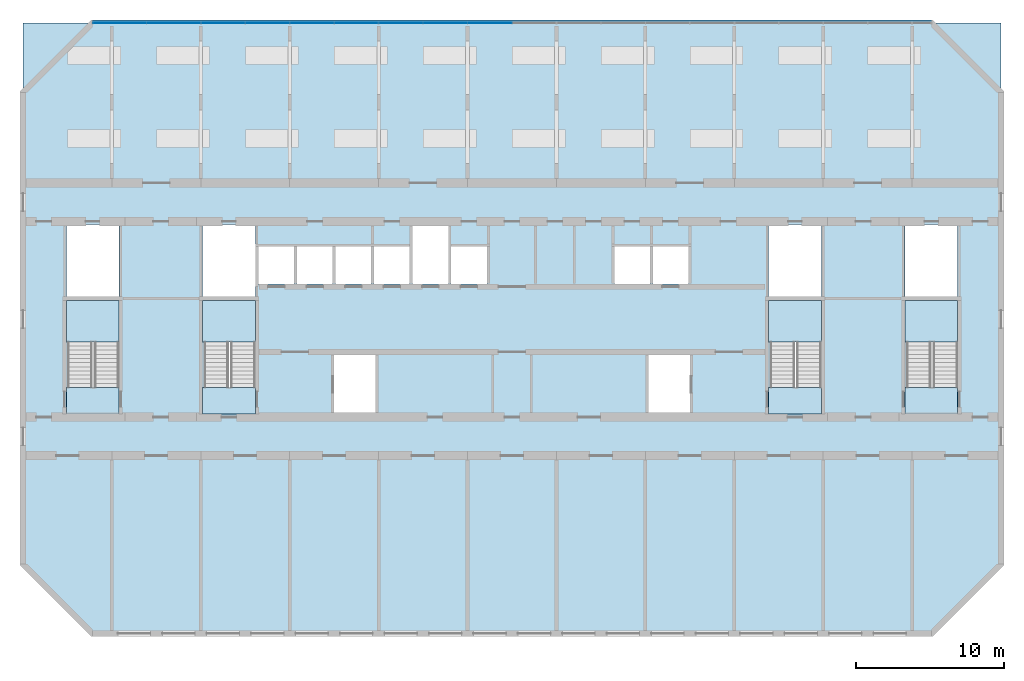
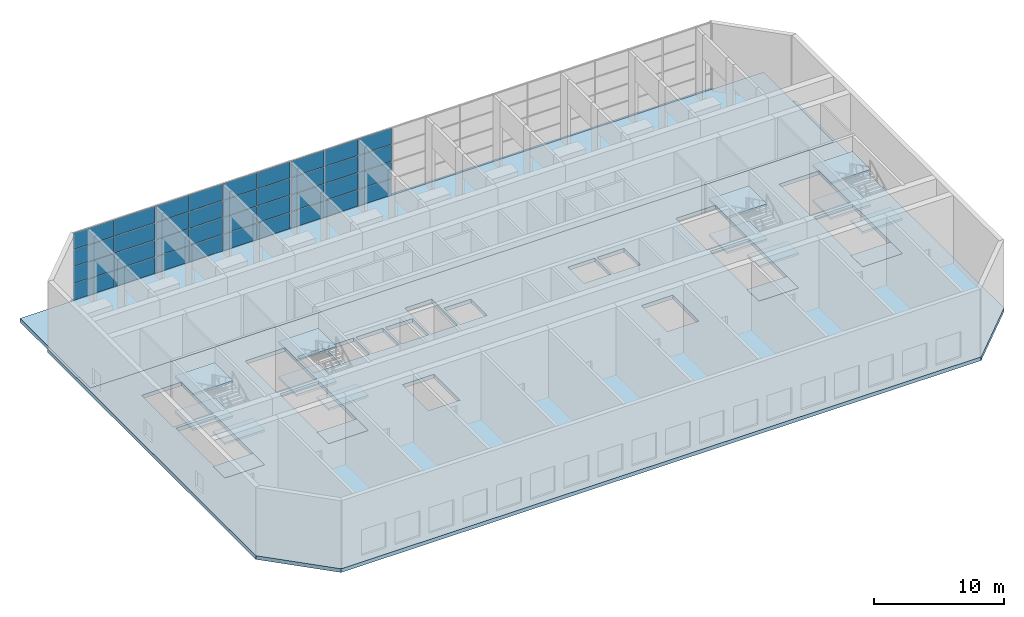
# One storey, part 4 of 13: 36 plates, 19 slabs, 7 elements without a shape of their own.
"""IFC4 building model written with IfcOpenShell, lengths in metres."""

import ifcopenshell
import ifcopenshell.guid

model = None  # the IFC model being written
_history = None  # IfcOwnerHistory: only IFC2X3 demands one
_inside = {}  # id of a spatial element -> (the spatial element, [elements in it])
_under = {}  # id of a project, library or spatial element -> (it, [spatial elements below it])
_declared = {}  # id of a project -> (the project, [libraries it declares])
_typed = {}  # id of a type object -> (the type object, [elements of that type])
_made_of = {}  # id of a material, layer set ... -> (it, [elements and type objects made of it])


def new_model(schema):
    """Start an empty IFC model of exactly this schema.

    Asked for "IFC4X3", IfcOpenShell would pick the latest addendum, in which some entities
    have other attributes; the version numbers below select the first issue.
    IFC2X3 requires an IfcOwnerHistory on every rooted entity: one is made here for all.
    """
    global model, _history
    if schema == "IFC4X3":
        model = ifcopenshell.file(schema_version=(4, 3, 0, 0))
    else:
        model = ifcopenshell.file(schema=schema)
    _inside.clear()
    _under.clear()
    _declared.clear()
    _typed.clear()
    _made_of.clear()
    _history = None
    if model.schema == "IFC2X3":
        org = make("IfcOrganization", Name="unknown")
        user = make(
            "IfcPersonAndOrganization",
            ThePerson=make("IfcPerson", FamilyName="unknown"),
            TheOrganization=org,
        )
        app = make(
            "IfcApplication",
            ApplicationDeveloper=org,
            Version="unknown",
            ApplicationFullName="unknown",
            ApplicationIdentifier="unknown",
        )
        _history = make(
            "IfcOwnerHistory",
            OwningUser=user,
            OwningApplication=app,
            ChangeAction="ADDED",
            CreationDate=0,
        )
    return model


def make(cls, **values):
    """One entity of the class cls with the attributes given. An attribute that is None is left unset."""
    return model.create_entity(
        cls, **{name: value for name, value in values.items() if value is not None}
    )


def rooted(cls, **values):
    """An entity with a GlobalId (a new one), such as an element, a storey or a relation."""
    return make(cls, GlobalId=ifcopenshell.guid.new(), OwnerHistory=_history, **values)


def si_unit(unit_type, name, prefix=None):
    """IfcSIUnit, for example si_unit("LENGTHUNIT", "METRE", prefix="MILLI")."""
    return make("IfcSIUnit", UnitType=unit_type, Prefix=prefix, Name=name)


def assignment(units):
    """IfcUnitAssignment: the units of a project."""
    return None if units is None else make("IfcUnitAssignment", Units=units)


def point(xyz):
    """IfcCartesianPoint."""
    return None if xyz is None else make("IfcCartesianPoint", Coordinates=xyz)


def direction(xyz):
    """IfcDirection."""
    return None if xyz is None else make("IfcDirection", DirectionRatios=xyz)


def frame(location, z_axis=None, x_axis=None):
    """IfcAxis2Placement3D, a coordinate frame: its origin and axes. An axis left out is left unset."""
    return make(
        "IfcAxis2Placement3D",
        Location=point(location),
        Axis=direction(z_axis),
        RefDirection=direction(x_axis),
    )


def frame_2d(location, x_axis=None):
    """IfcAxis2Placement2D, a coordinate frame in the plane: its origin and x axis."""
    return make(
        "IfcAxis2Placement2D", Location=point(location), RefDirection=direction(x_axis)
    )


def origin():
    """The frame at (0, 0, 0) with its axes left unset."""
    return frame((0.0, 0.0, 0.0))


def origin_2d():
    """The frame at (0, 0) in the plane with its x axis left unset."""
    return frame_2d((0.0, 0.0))


def place(relative_to, where):
    """IfcLocalPlacement: puts the frame where relative to a parent placement (None: the world)."""
    return make(
        "IfcLocalPlacement", PlacementRelTo=relative_to, RelativePlacement=where
    )


def context(
    kind, dimensions, precision=None, world=None, true_north=None, identifier=None
):
    """IfcGeometricRepresentationContext, for example the 3D "Model" context."""
    return make(
        "IfcGeometricRepresentationContext",
        ContextIdentifier=identifier,
        ContextType=kind,
        CoordinateSpaceDimension=dimensions,
        Precision=precision,
        WorldCoordinateSystem=world,
        TrueNorth=true_north,
    )


def subcontext(parent, identifier, kind, view, scale=None):
    """IfcGeometricRepresentationSubContext, for example "Body" below "Model"."""
    return make(
        "IfcGeometricRepresentationSubContext",
        ContextIdentifier=identifier,
        ContextType=kind,
        ParentContext=parent,
        TargetScale=scale,
        TargetView=view,
    )


def project(units=None, contexts=None):
    """IfcProject with its units and contexts."""
    return rooted(
        "IfcProject",
        Name="project",
        RepresentationContexts=contexts,
        UnitsInContext=assignment(units),
    )


def spatial(cls, under=None, at=None, **own):
    """A site, building, storey or space (cls), placed at a placement, below another one or the project."""
    s = rooted(cls, ObjectPlacement=at, **own)
    if under is not None:
        _under.setdefault(under.id(), (under, []))[1].append(s)
    return s


def polyline(points):
    """IfcPolyline through the points."""
    return make("IfcPolyline", Points=[point(p) for p in points])


def profile(cls, at=None, kind="AREA", **sizes):
    """A parametric profile (cls). Its sizes go by their IFC names, for example OverallWidth=200.0."""
    return make(cls, ProfileType=kind, Position=at, **sizes)


def rectangle(**sizes):
    """IfcRectangleProfileDef."""
    return profile("IfcRectangleProfileDef", **sizes)


def outline(outer, holes=None, kind="AREA"):
    """IfcArbitraryClosedProfileDef: a profile drawn as a closed curve; with holes, ...WithVoids."""
    if holes is None:
        return make("IfcArbitraryClosedProfileDef", ProfileType=kind, OuterCurve=outer)
    return make(
        "IfcArbitraryProfileDefWithVoids",
        ProfileType=kind,
        OuterCurve=outer,
        InnerCurves=holes,
    )


def extrude(swept, where, along, depth):
    """IfcExtrudedAreaSolid: the profile swept, set in the frame where, extruded along a direction by depth."""
    return make(
        "IfcExtrudedAreaSolid",
        SweptArea=swept,
        Position=where,
        ExtrudedDirection=direction(along),
        Depth=depth,
    )


def shape(context_of_items, identifier, shape_type, items):
    """IfcShapeRepresentation: the items that make up one representation, for example the "Body"."""
    return make(
        "IfcShapeRepresentation",
        ContextOfItems=context_of_items,
        RepresentationIdentifier=identifier,
        RepresentationType=shape_type,
        Items=items,
    )


def source(mapping_origin, context_of_items, identifier, shape_type, items):
    """IfcRepresentationMap: a shape defined once, which mapped items show again and again."""
    return make(
        "IfcRepresentationMap",
        MappingOrigin=mapping_origin,
        MappedRepresentation=shape(context_of_items, identifier, shape_type, items),
    )


def transform(
    local_origin,
    x_axis=None,
    y_axis=None,
    z_axis=None,
    scale=None,
    scale2=None,
    scale3=None,
    uniform=True,
):
    """IfcCartesianTransformationOperator3D, or its non-uniform kind. x_axis, y_axis, z_axis: its Axis1, 2, 3."""
    if uniform:
        return make(
            "IfcCartesianTransformationOperator3D",
            Axis1=direction(x_axis),
            Axis2=direction(y_axis),
            LocalOrigin=point(local_origin),
            Scale=scale,
            Axis3=direction(z_axis),
        )
    return make(
        "IfcCartesianTransformationOperator3DnonUniform",
        Axis1=direction(x_axis),
        Axis2=direction(y_axis),
        LocalOrigin=point(local_origin),
        Scale=scale,
        Axis3=direction(z_axis),
        Scale2=scale2,
        Scale3=scale3,
    )


def mapped(mapping_source, mapping_target):
    """IfcMappedItem: shows the shape of a source again, moved by a transform."""
    return make(
        "IfcMappedItem", MappingSource=mapping_source, MappingTarget=mapping_target
    )


def material(Name=None, Category=None):
    """IfcMaterial."""
    return make("IfcMaterial", Name=Name, Category=Category)


def layer(
    of_material, thickness, ventilated=None, Name=None, Category=None, Priority=None
):
    """IfcMaterialLayer: one layer of a wall or slab, of a material (None: an air gap)."""
    return make(
        "IfcMaterialLayer",
        Material=of_material,
        LayerThickness=thickness,
        IsVentilated=ventilated,
        Name=Name,
        Category=Category,
        Priority=Priority,
    )


def layer_set(layers, Name=None):
    """IfcMaterialLayerSet."""
    return make("IfcMaterialLayerSet", MaterialLayers=layers, LayerSetName=Name)


def made_of(thing, what):
    """Note that an element or type object is made of a material, layer set ...; save() writes the relation."""
    if what is not None:
        _made_of.setdefault(what.id(), (what, []))[1].append(thing)
    return thing


def type_object(cls, material=None, **own):
    """A type object (cls), such as IfcWallType, which elements share."""
    return made_of(rooted(cls, **own), material)


def element(
    cls,
    number,
    at=None,
    inside=None,
    cuts=None,
    type_object=None,
    material=None,
    context=None,
    identifier="Body",
    shape_type=None,
    held_by="IfcProductDefinitionShape",
    body=None,
    shapes=None,
    **own,
):
    """One element of the class cls, such as IfcWall. Its Tag is "e" and its number.

    at: its placement. inside: the storey or other place that contains it. cuts: it is an
    opening in that element (IfcRelVoidsElement). A single representation is given by context,
    identifier, shape_type and body (its items); several are given by shapes. held_by: the class
    of the entity that holds the representations. save() writes the other relations.
    """
    e = rooted(cls, Tag="e%d" % number, ObjectPlacement=at, **own)
    if body is not None:
        shapes = [shape(context, identifier, shape_type, body)]
    if shapes is not None:
        e.Representation = make(held_by, Representations=shapes)
    if inside is not None:
        _inside.setdefault(inside.id(), (inside, []))[1].append(e)
    if cuts is not None:
        rooted(
            "IfcRelVoidsElement", RelatingBuildingElement=cuts, RelatedOpeningElement=e
        )
    if type_object is not None:
        _typed.setdefault(type_object.id(), (type_object, []))[1].append(e)
    return made_of(e, material)


def aggregate(whole, parts):
    """IfcRelAggregates: a whole, such as a stair, and the parts it consists of."""
    return rooted("IfcRelAggregates", RelatingObject=whole, RelatedObjects=parts)


def save(model, path):
    """Write the relations noted so far, then the file.

    IfcRelAggregates (storeys below a building ...), IfcRelContainedInSpatialStructure (elements
    in a storey), IfcRelDefinesByType, IfcRelAssociatesMaterial and IfcRelDeclares: one each for
    every whole, place, type object, material and project.
    """
    for whole, parts in _under.values():
        aggregate(whole, parts)
    for where, things in _inside.values():
        rooted(
            "IfcRelContainedInSpatialStructure",
            RelatedElements=things,
            RelatingStructure=where,
        )
    for kind, things in _typed.values():
        rooted("IfcRelDefinesByType", RelatedObjects=things, RelatingType=kind)
    for what, things in _made_of.values():
        rooted("IfcRelAssociatesMaterial", RelatedObjects=things, RelatingMaterial=what)
    for by, libraries in _declared.values():
        rooted("IfcRelDeclares", RelatingContext=by, RelatedDefinitions=libraries)
    model.write(path)


model = new_model("IFC4")

# Units and contexts
model_context = context("Model", 3, precision=1e-05, world=origin(), true_north=direction((0.0, 1.0)))
body_context = subcontext(model_context, "Body", "Model", "MODEL_VIEW")
ifc_project = project(units=[si_unit("LENGTHUNIT", "METRE"), si_unit("AREAUNIT", "SQUARE_METRE"), si_unit("VOLUMEUNIT", "CUBIC_METRE"), si_unit("PLANEANGLEUNIT", "RADIAN"), si_unit("MASSUNIT", "GRAM", prefix="KILO")], contexts=[model_context])

# Site, building, storey
site_placement = place(None, origin())
site = spatial("IfcSite", under=ifc_project, at=site_placement, CompositionType="ELEMENT")
building_placement = place(site_placement, origin())
building = spatial("IfcBuilding", under=site, at=building_placement, Name="Poui Terraces", CompositionType="ELEMENT")
storey_placement = place(building_placement, frame((0.0, 0.0, 214.800048828125)))
storey = spatial("IfcBuildingStorey", under=building, at=storey_placement, Name="L60", CompositionType="ELEMENT", Elevation=214.800048828125)

# Curtain wall, plates
ifc_material_1 = material(Name="Clear glass", Category="glass")
ifc_layer_1 = layer(ifc_material_1, 0.159912109375)
ifc_layer_set_1 = layer_set([ifc_layer_1], Name="Clear glass")
curtain_wall_type = type_object("IfcCurtainWallType", Name="CURTAIN WALL CW-D SKY GARDEN GLAZING", PredefinedType="NOTDEFINED", material=ifc_layer_set_1)
curtain_wall_1_placement = place(storey_placement, origin())
curtain_wall_1 = element("IfcCurtainWall", 1, at=curtain_wall_1_placement, inside=storey, type_object=curtain_wall_type, Name="CW-D SKY GARDEN GLAZING", PredefinedType="NOTDEFINED")
ifc_layer_2 = layer(ifc_material_1, 0.052001953125)
ifc_layer_set_2 = layer_set([ifc_layer_2], Name="Clear glass")
plate_type = type_object("IfcPlateType", Name="CW-D GLASS PANEL 52", PredefinedType="CURTAIN_PANEL", material=ifc_layer_set_2)
plate_1_placement = place(storey_placement, frame((28.158203125, 41.199951171875, 0.050048828125), z_axis=(0.0, 0.0, 1.0), x_axis=(-1.0, 0.0, 0.0)))
plate_1 = element("IfcPlate", 2, at=plate_1_placement, type_object=plate_type, Name="CW-D panel 1.1", PredefinedType="CURTAIN_PANEL", context=body_context, shape_type="SweptSolid", body=[
    extrude(rectangle(XDim=3.58349609375, YDim=0.052001953125, at=origin_2d()), origin(), (0.0, 0.0, 1.0), 1.52001953125),
])
plate_2_placement = place(storey_placement, frame((28.158203125, 41.199951171875, 1.619873046875), z_axis=(0.0, 0.0, 1.0), x_axis=(-1.0, 0.0, 0.0)))
plate_2 = element("IfcPlate", 3, at=plate_2_placement, type_object=plate_type, Name="CW-D panel 1.2", PredefinedType="CURTAIN_PANEL", context=body_context, shape_type="SweptSolid", body=[
    extrude(rectangle(XDim=3.58349609375, YDim=0.052001953125, at=origin_2d()), origin(), (0.0, 0.0, 1.0), 1.544921875),
])
plate_3_placement = place(storey_placement, frame((28.158203125, 41.199951171875, 3.215087890625), z_axis=(0.0, 0.0, 1.0), x_axis=(-1.0, 0.0, 0.0)))
plate_3 = element("IfcPlate", 4, at=plate_3_placement, type_object=plate_type, Name="CW-D panel 1.3", PredefinedType="CURTAIN_PANEL", context=body_context, shape_type="SweptSolid", body=[
    extrude(rectangle(XDim=3.58349609375, YDim=0.052001953125, at=origin_2d()), origin(), (0.0, 0.0, 1.0), 1.544921875),
])
plate_4_placement = place(storey_placement, frame((28.158203125, 41.199951171875, 4.81005859375), z_axis=(0.0, 0.0, 1.0), x_axis=(-1.0, 0.0, 0.0)))
plate_4 = element("IfcPlate", 5, at=plate_4_placement, type_object=plate_type, Name="CW-D panel 1.4", PredefinedType="CURTAIN_PANEL", context=body_context, shape_type="SweptSolid", body=[
    extrude(rectangle(XDim=3.58349609375, YDim=0.052001953125, at=origin_2d()), origin(), (0.0, 0.0, 1.0), 1.52001953125),
])
plate_5_placement = place(storey_placement, frame((24.524658203125, 41.199951171875, 0.050048828125), z_axis=(0.0, 0.0, 1.0), x_axis=(-1.0, 0.0, 0.0)))
plate_5 = element("IfcPlate", 6, at=plate_5_placement, type_object=plate_type, Name="CW-D panel 2.1", PredefinedType="CURTAIN_PANEL", context=body_context, shape_type="SweptSolid", body=[
    extrude(rectangle(XDim=3.58349609375, YDim=0.052001953125, at=origin_2d()), origin(), (0.0, 0.0, 1.0), 1.52001953125),
])
plate_6_placement = place(storey_placement, frame((24.524658203125, 41.199951171875, 1.619873046875), z_axis=(0.0, 0.0, 1.0), x_axis=(-1.0, 0.0, 0.0)))
plate_6 = element("IfcPlate", 7, at=plate_6_placement, type_object=plate_type, Name="CW-D panel 2.2", PredefinedType="CURTAIN_PANEL", context=body_context, shape_type="SweptSolid", body=[
    extrude(rectangle(XDim=3.58349609375, YDim=0.052001953125, at=origin_2d()), origin(), (0.0, 0.0, 1.0), 1.544921875),
])
plate_7_placement = place(storey_placement, frame((24.524658203125, 41.199951171875, 3.215087890625), z_axis=(0.0, 0.0, 1.0), x_axis=(-1.0, 0.0, 0.0)))
plate_7 = element("IfcPlate", 8, at=plate_7_placement, type_object=plate_type, Name="CW-D panel 2.3", PredefinedType="CURTAIN_PANEL", context=body_context, shape_type="SweptSolid", body=[
    extrude(rectangle(XDim=3.58349609375, YDim=0.052001953125, at=origin_2d()), origin(), (0.0, 0.0, 1.0), 1.544921875),
])
plate_8_placement = place(storey_placement, frame((24.524658203125, 41.199951171875, 4.81005859375), z_axis=(0.0, 0.0, 1.0), x_axis=(-1.0, 0.0, 0.0)))
plate_8 = element("IfcPlate", 9, at=plate_8_placement, type_object=plate_type, Name="CW-D panel 2.4", PredefinedType="CURTAIN_PANEL", context=body_context, shape_type="SweptSolid", body=[
    extrude(rectangle(XDim=3.58349609375, YDim=0.052001953125, at=origin_2d()), origin(), (0.0, 0.0, 1.0), 1.52001953125),
])
aggregate(curtain_wall_1, [plate_1, plate_2, plate_3, plate_4, plate_5, plate_6, plate_7, plate_8])

curtain_wall_2_placement = place(storey_placement, origin())
curtain_wall_2 = element("IfcCurtainWall", 10, at=curtain_wall_2_placement, inside=storey, type_object=curtain_wall_type, Name="CW-D SKY GARDEN GLAZING", PredefinedType="NOTDEFINED")
plate_9_placement = place(storey_placement, frame((40.487548828125, 41.199951171875, 0.050048828125), z_axis=(0.0, 0.0, 1.0), x_axis=(-1.0, 0.0, 0.0)))
plate_9 = element("IfcPlate", 11, at=plate_9_placement, type_object=plate_type, Name="CW-D panel 1.1", PredefinedType="CURTAIN_PANEL", context=body_context, shape_type="SweptSolid", body=[
    extrude(rectangle(XDim=2.925048828125, YDim=0.052001953125, at=origin_2d()), origin(), (0.0, 0.0, 1.0), 1.52001953125),
])
plate_10_placement = place(storey_placement, frame((40.487548828125, 41.199951171875, 1.619873046875), z_axis=(0.0, 0.0, 1.0), x_axis=(-1.0, 0.0, 0.0)))
plate_10 = element("IfcPlate", 12, at=plate_10_placement, type_object=plate_type, Name="CW-D panel 1.2", PredefinedType="CURTAIN_PANEL", context=body_context, shape_type="SweptSolid", body=[
    extrude(rectangle(XDim=2.925048828125, YDim=0.052001953125, at=origin_2d()), origin(), (0.0, 0.0, 1.0), 1.544921875),
])
plate_11_placement = place(storey_placement, frame((40.487548828125, 41.199951171875, 3.215087890625), z_axis=(0.0, 0.0, 1.0), x_axis=(-1.0, 0.0, 0.0)))
plate_11 = element("IfcPlate", 13, at=plate_11_placement, type_object=plate_type, Name="CW-D panel 1.3", PredefinedType="CURTAIN_PANEL", context=body_context, shape_type="SweptSolid", body=[
    extrude(rectangle(XDim=2.925048828125, YDim=0.052001953125, at=origin_2d()), origin(), (0.0, 0.0, 1.0), 1.544921875),
])
plate_12_placement = place(storey_placement, frame((40.487548828125, 41.199951171875, 4.81005859375), z_axis=(0.0, 0.0, 1.0), x_axis=(-1.0, 0.0, 0.0)))
plate_12 = element("IfcPlate", 14, at=plate_12_placement, type_object=plate_type, Name="CW-D panel 1.4", PredefinedType="CURTAIN_PANEL", context=body_context, shape_type="SweptSolid", body=[
    extrude(rectangle(XDim=2.925048828125, YDim=0.052001953125, at=origin_2d()), origin(), (0.0, 0.0, 1.0), 1.52001953125),
])
plate_13_placement = place(storey_placement, frame((37.5, 41.199951171875, 0.050048828125), z_axis=(0.0, 0.0, 1.0), x_axis=(-1.0, 0.0, 0.0)))
plate_13 = element("IfcPlate", 15, at=plate_13_placement, type_object=plate_type, Name="CW-D panel 2.1", PredefinedType="CURTAIN_PANEL", context=body_context, shape_type="SweptSolid", body=[
    extrude(rectangle(XDim=2.949951171875, YDim=0.052001953125, at=origin_2d()), origin(), (0.0, 0.0, 1.0), 1.52001953125),
])
plate_14_placement = place(storey_placement, frame((37.5, 41.199951171875, 1.619873046875), z_axis=(0.0, 0.0, 1.0), x_axis=(-1.0, 0.0, 0.0)))
plate_14 = element("IfcPlate", 16, at=plate_14_placement, type_object=plate_type, Name="CW-D panel 2.2", PredefinedType="CURTAIN_PANEL", context=body_context, shape_type="SweptSolid", body=[
    extrude(rectangle(XDim=2.949951171875, YDim=0.052001953125, at=origin_2d()), origin(), (0.0, 0.0, 1.0), 1.544921875),
])
plate_15_placement = place(storey_placement, frame((37.5, 41.199951171875, 3.215087890625), z_axis=(0.0, 0.0, 1.0), x_axis=(-1.0, 0.0, 0.0)))
plate_15 = element("IfcPlate", 17, at=plate_15_placement, type_object=plate_type, Name="CW-D panel 2.3", PredefinedType="CURTAIN_PANEL", context=body_context, shape_type="SweptSolid", body=[
    extrude(rectangle(XDim=2.949951171875, YDim=0.052001953125, at=origin_2d()), origin(), (0.0, 0.0, 1.0), 1.544921875),
])
plate_16_placement = place(storey_placement, frame((37.5, 41.199951171875, 4.81005859375), z_axis=(0.0, 0.0, 1.0), x_axis=(-1.0, 0.0, 0.0)))
plate_16 = element("IfcPlate", 18, at=plate_16_placement, type_object=plate_type, Name="CW-D panel 2.4", PredefinedType="CURTAIN_PANEL", context=body_context, shape_type="SweptSolid", body=[
    extrude(rectangle(XDim=2.949951171875, YDim=0.052001953125, at=origin_2d()), origin(), (0.0, 0.0, 1.0), 1.52001953125),
])
plate_17_placement = place(storey_placement, frame((34.5, 41.199951171875, 0.050048828125), z_axis=(0.0, 0.0, 1.0), x_axis=(-1.0, 0.0, 0.0)))
plate_17 = element("IfcPlate", 19, at=plate_17_placement, type_object=plate_type, Name="CW-D panel 3.1", PredefinedType="CURTAIN_PANEL", context=body_context, shape_type="SweptSolid", body=[
    extrude(rectangle(XDim=2.949951171875, YDim=0.052001953125, at=origin_2d()), origin(), (0.0, 0.0, 1.0), 1.52001953125),
])
plate_18_placement = place(storey_placement, frame((34.5, 41.199951171875, 1.619873046875), z_axis=(0.0, 0.0, 1.0), x_axis=(-1.0, 0.0, 0.0)))
plate_18 = element("IfcPlate", 20, at=plate_18_placement, type_object=plate_type, Name="CW-D panel 3.2", PredefinedType="CURTAIN_PANEL", context=body_context, shape_type="SweptSolid", body=[
    extrude(rectangle(XDim=2.949951171875, YDim=0.052001953125, at=origin_2d()), origin(), (0.0, 0.0, 1.0), 1.544921875),
])
plate_19_placement = place(storey_placement, frame((34.5, 41.199951171875, 3.215087890625), z_axis=(0.0, 0.0, 1.0), x_axis=(-1.0, 0.0, 0.0)))
plate_19 = element("IfcPlate", 21, at=plate_19_placement, type_object=plate_type, Name="CW-D panel 3.3", PredefinedType="CURTAIN_PANEL", context=body_context, shape_type="SweptSolid", body=[
    extrude(rectangle(XDim=2.949951171875, YDim=0.052001953125, at=origin_2d()), origin(), (0.0, 0.0, 1.0), 1.544921875),
])
plate_20_placement = place(storey_placement, frame((34.5, 41.199951171875, 4.81005859375), z_axis=(0.0, 0.0, 1.0), x_axis=(-1.0, 0.0, 0.0)))
plate_20 = element("IfcPlate", 22, at=plate_20_placement, type_object=plate_type, Name="CW-D panel 3.4", PredefinedType="CURTAIN_PANEL", context=body_context, shape_type="SweptSolid", body=[
    extrude(rectangle(XDim=2.949951171875, YDim=0.052001953125, at=origin_2d()), origin(), (0.0, 0.0, 1.0), 1.52001953125),
])
plate_21_placement = place(storey_placement, frame((31.512451171875, 41.199951171875, 0.050048828125), z_axis=(0.0, 0.0, 1.0), x_axis=(-1.0, 0.0, 0.0)))
plate_21 = element("IfcPlate", 23, at=plate_21_placement, type_object=plate_type, Name="CW-D panel 4.1", PredefinedType="CURTAIN_PANEL", context=body_context, shape_type="SweptSolid", body=[
    extrude(rectangle(XDim=2.925048828125, YDim=0.052001953125, at=origin_2d()), origin(), (0.0, 0.0, 1.0), 1.52001953125),
])
plate_22_placement = place(storey_placement, frame((31.512451171875, 41.199951171875, 1.619873046875), z_axis=(0.0, 0.0, 1.0), x_axis=(-1.0, 0.0, 0.0)))
plate_22 = element("IfcPlate", 24, at=plate_22_placement, type_object=plate_type, Name="CW-D panel 4.2", PredefinedType="CURTAIN_PANEL", context=body_context, shape_type="SweptSolid", body=[
    extrude(rectangle(XDim=2.925048828125, YDim=0.052001953125, at=origin_2d()), origin(), (0.0, 0.0, 1.0), 1.544921875),
])
plate_23_placement = place(storey_placement, frame((31.512451171875, 41.199951171875, 3.215087890625), z_axis=(0.0, 0.0, 1.0), x_axis=(-1.0, 0.0, 0.0)))
plate_23 = element("IfcPlate", 25, at=plate_23_placement, type_object=plate_type, Name="CW-D panel 4.3", PredefinedType="CURTAIN_PANEL", context=body_context, shape_type="SweptSolid", body=[
    extrude(rectangle(XDim=2.925048828125, YDim=0.052001953125, at=origin_2d()), origin(), (0.0, 0.0, 1.0), 1.544921875),
])
plate_24_placement = place(storey_placement, frame((31.512451171875, 41.199951171875, 4.81005859375), z_axis=(0.0, 0.0, 1.0), x_axis=(-1.0, 0.0, 0.0)))
plate_24 = element("IfcPlate", 26, at=plate_24_placement, type_object=plate_type, Name="CW-D panel 4.4", PredefinedType="CURTAIN_PANEL", context=body_context, shape_type="SweptSolid", body=[
    extrude(rectangle(XDim=2.925048828125, YDim=0.052001953125, at=origin_2d()), origin(), (0.0, 0.0, 1.0), 1.52001953125),
])
aggregate(curtain_wall_2, [plate_9, plate_10, plate_11, plate_12, plate_13, plate_14, plate_15, plate_16, plate_17, plate_18, plate_19, plate_20, plate_21, plate_22, plate_23, plate_24])

curtain_wall_3_placement = place(storey_placement, origin())
curtain_wall_3 = element("IfcCurtainWall", 27, at=curtain_wall_3_placement, inside=storey, type_object=curtain_wall_type, Name="CW-D SKY GARDEN GLAZING", PredefinedType="NOTDEFINED")
plate_25_placement = place(storey_placement, frame((49.5, 41.199951171875, 0.050048828125), z_axis=(0.0, 0.0, 1.0), x_axis=(-1.0, 0.0, 0.0)))
plate_25 = element("IfcPlate", 28, at=plate_25_placement, type_object=plate_type, Name="CW-D panel 2.1", PredefinedType="CURTAIN_PANEL", context=body_context, shape_type="SweptSolid", body=[
    extrude(rectangle(XDim=2.949951171875, YDim=0.052001953125, at=origin_2d()), origin(), (0.0, 0.0, 1.0), 1.52001953125),
])
plate_26_placement = place(storey_placement, frame((49.5, 41.199951171875, 1.619873046875), z_axis=(0.0, 0.0, 1.0), x_axis=(-1.0, 0.0, 0.0)))
plate_26 = element("IfcPlate", 29, at=plate_26_placement, type_object=plate_type, Name="CW-D panel 2.2", PredefinedType="CURTAIN_PANEL", context=body_context, shape_type="SweptSolid", body=[
    extrude(rectangle(XDim=2.949951171875, YDim=0.052001953125, at=origin_2d()), origin(), (0.0, 0.0, 1.0), 1.544921875),
])
plate_27_placement = place(storey_placement, frame((49.5, 41.199951171875, 3.215087890625), z_axis=(0.0, 0.0, 1.0), x_axis=(-1.0, 0.0, 0.0)))
plate_27 = element("IfcPlate", 30, at=plate_27_placement, type_object=plate_type, Name="CW-D panel 2.3", PredefinedType="CURTAIN_PANEL", context=body_context, shape_type="SweptSolid", body=[
    extrude(rectangle(XDim=2.949951171875, YDim=0.052001953125, at=origin_2d()), origin(), (0.0, 0.0, 1.0), 1.544921875),
])
plate_28_placement = place(storey_placement, frame((49.5, 41.199951171875, 4.81005859375), z_axis=(0.0, 0.0, 1.0), x_axis=(-1.0, 0.0, 0.0)))
plate_28 = element("IfcPlate", 31, at=plate_28_placement, type_object=plate_type, Name="CW-D panel 2.4", PredefinedType="CURTAIN_PANEL", context=body_context, shape_type="SweptSolid", body=[
    extrude(rectangle(XDim=2.949951171875, YDim=0.052001953125, at=origin_2d()), origin(), (0.0, 0.0, 1.0), 1.52001953125),
])
plate_29_placement = place(storey_placement, frame((46.5, 41.199951171875, 0.050048828125), z_axis=(0.0, 0.0, 1.0), x_axis=(-1.0, 0.0, 0.0)))
plate_29 = element("IfcPlate", 32, at=plate_29_placement, type_object=plate_type, Name="CW-D panel 3.1", PredefinedType="CURTAIN_PANEL", context=body_context, shape_type="SweptSolid", body=[
    extrude(rectangle(XDim=2.949951171875, YDim=0.052001953125, at=origin_2d()), origin(), (0.0, 0.0, 1.0), 1.52001953125),
])
plate_30_placement = place(storey_placement, frame((46.5, 41.199951171875, 1.619873046875), z_axis=(0.0, 0.0, 1.0), x_axis=(-1.0, 0.0, 0.0)))
plate_30 = element("IfcPlate", 33, at=plate_30_placement, type_object=plate_type, Name="CW-D panel 3.2", PredefinedType="CURTAIN_PANEL", context=body_context, shape_type="SweptSolid", body=[
    extrude(rectangle(XDim=2.949951171875, YDim=0.052001953125, at=origin_2d()), origin(), (0.0, 0.0, 1.0), 1.544921875),
])
plate_31_placement = place(storey_placement, frame((46.5, 41.199951171875, 3.215087890625), z_axis=(0.0, 0.0, 1.0), x_axis=(-1.0, 0.0, 0.0)))
plate_31 = element("IfcPlate", 34, at=plate_31_placement, type_object=plate_type, Name="CW-D panel 3.3", PredefinedType="CURTAIN_PANEL", context=body_context, shape_type="SweptSolid", body=[
    extrude(rectangle(XDim=2.949951171875, YDim=0.052001953125, at=origin_2d()), origin(), (0.0, 0.0, 1.0), 1.544921875),
])
plate_32_placement = place(storey_placement, frame((46.5, 41.199951171875, 4.81005859375), z_axis=(0.0, 0.0, 1.0), x_axis=(-1.0, 0.0, 0.0)))
plate_32 = element("IfcPlate", 35, at=plate_32_placement, type_object=plate_type, Name="CW-D panel 3.4", PredefinedType="CURTAIN_PANEL", context=body_context, shape_type="SweptSolid", body=[
    extrude(rectangle(XDim=2.949951171875, YDim=0.052001953125, at=origin_2d()), origin(), (0.0, 0.0, 1.0), 1.52001953125),
])
plate_33_placement = place(storey_placement, frame((43.512451171875, 41.199951171875, 0.050048828125), z_axis=(0.0, 0.0, 1.0), x_axis=(-1.0, 0.0, 0.0)))
plate_33 = element("IfcPlate", 36, at=plate_33_placement, type_object=plate_type, Name="CW-D panel 4.1", PredefinedType="CURTAIN_PANEL", context=body_context, shape_type="SweptSolid", body=[
    extrude(rectangle(XDim=2.925048828125, YDim=0.052001953125, at=origin_2d()), origin(), (0.0, 0.0, 1.0), 1.52001953125),
])
plate_34_placement = place(storey_placement, frame((43.512451171875, 41.199951171875, 1.619873046875), z_axis=(0.0, 0.0, 1.0), x_axis=(-1.0, 0.0, 0.0)))
plate_34 = element("IfcPlate", 37, at=plate_34_placement, type_object=plate_type, Name="CW-D panel 4.2", PredefinedType="CURTAIN_PANEL", context=body_context, shape_type="SweptSolid", body=[
    extrude(rectangle(XDim=2.925048828125, YDim=0.052001953125, at=origin_2d()), origin(), (0.0, 0.0, 1.0), 1.544921875),
])
plate_35_placement = place(storey_placement, frame((43.512451171875, 41.199951171875, 3.215087890625), z_axis=(0.0, 0.0, 1.0), x_axis=(-1.0, 0.0, 0.0)))
plate_35 = element("IfcPlate", 38, at=plate_35_placement, type_object=plate_type, Name="CW-D panel 4.3", PredefinedType="CURTAIN_PANEL", context=body_context, shape_type="SweptSolid", body=[
    extrude(rectangle(XDim=2.925048828125, YDim=0.052001953125, at=origin_2d()), origin(), (0.0, 0.0, 1.0), 1.544921875),
])
plate_36_placement = place(storey_placement, frame((43.512451171875, 41.199951171875, 4.81005859375), z_axis=(0.0, 0.0, 1.0), x_axis=(-1.0, 0.0, 0.0)))
plate_36 = element("IfcPlate", 39, at=plate_36_placement, type_object=plate_type, Name="CW-D panel 4.4", PredefinedType="CURTAIN_PANEL", context=body_context, shape_type="SweptSolid", body=[
    extrude(rectangle(XDim=2.925048828125, YDim=0.052001953125, at=origin_2d()), origin(), (0.0, 0.0, 1.0), 1.52001953125),
])
aggregate(curtain_wall_3, [plate_25, plate_26, plate_27, plate_28, plate_29, plate_30, plate_31, plate_32, plate_33, plate_34, plate_35, plate_36])

# Stair, slabs
ifc_material_2 = material(Name="Concrete 50 MPa", Category="concrete")
stair_type = type_object("IfcStairType", Name="EXIT STAIR 1650 50 MPA", PredefinedType="HALF_TURN_STAIR", material=ifc_material_2)
stair_1_placement = place(storey_placement, origin())
stair_1 = element("IfcStair", 40, at=stair_1_placement, inside=storey, type_object=stair_type, Name="L60 CORE STAIR EAST", PredefinedType="HALF_TURN_STAIR")
ifc_layer_3 = layer(ifc_material_2, 0.199951171875)
ifc_layer_set_3 = layer_set([ifc_layer_3], Name="Concrete 50 MPa")
slab_type_1 = type_object("IfcSlabType", Name="STAIR LANDING 200 50 MPA", PredefinedType="LANDING", material=ifc_layer_set_3)
slab_1_placement = place(storey_placement, frame((0.0, 0.0, 1.449951171875)))
slab_1 = element("IfcSlab", 41, at=slab_1_placement, type_object=slab_type_1, Name="ST-CE landing 1", PredefinedType="LANDING", context=body_context, shape_type="SweptSolid", body=[
    extrude(outline(polyline([(68.324951171875, 19.679931640625), (71.875, 19.679931640625), (71.875, 22.47509765625), (68.324951171875, 22.47509765625), (68.324951171875, 19.679931640625)])), origin(), (0.0, 0.0, 1.0), 0.199951171875),
])
slab_2_placement = place(storey_placement, frame((0.0, 0.0, 3.099853515625)))
slab_2 = element("IfcSlab", 42, at=slab_2_placement, type_object=slab_type_1, Name="ST-CE landing 2", PredefinedType="LANDING", context=body_context, shape_type="SweptSolid", body=[
    extrude(outline(polyline([(68.324951171875, 14.800048828125), (71.875, 14.800048828125), (71.875, 16.60009765625), (68.324951171875, 16.60009765625), (68.324951171875, 14.800048828125)])), origin(), (0.0, 0.0, 1.0), 0.2001953125),
])
slab_3_placement = place(storey_placement, frame((0.0, 0.0, 4.749755859375)))
slab_3 = element("IfcSlab", 43, at=slab_3_placement, type_object=slab_type_1, Name="ST-CE landing 3", PredefinedType="LANDING", context=body_context, shape_type="SweptSolid", body=[
    extrude(outline(polyline([(68.324951171875, 19.679931640625), (71.875, 19.679931640625), (71.875, 22.47509765625), (68.324951171875, 22.47509765625), (68.324951171875, 19.679931640625)])), origin(), (0.0, 0.0, 1.0), 0.2001953125),
])
slab_4_placement = place(storey_placement, frame((0.0, 0.0, -0.2001953125)))
slab_4 = element("IfcSlab", 44, at=slab_4_placement, type_object=slab_type_1, Name="ST-CE landing 4", PredefinedType="LANDING", context=body_context, shape_type="SweptSolid", body=[
    extrude(outline(polyline([(68.324951171875, 14.800048828125), (71.875, 14.800048828125), (71.875, 16.60009765625), (68.324951171875, 16.60009765625), (68.324951171875, 14.800048828125)])), origin(), (0.0, 0.0, 1.0), 0.2001953125),
])
aggregate(stair_1, [slab_1, slab_2, slab_3, slab_4])

stair_2_placement = place(storey_placement, origin())
stair_2 = element("IfcStair", 45, at=stair_2_placement, inside=storey, type_object=stair_type, Name="L60 CORE STAIR WEST", PredefinedType="HALF_TURN_STAIR")
slab_5_placement = place(storey_placement, frame((0.0, 0.0, 1.449951171875)))
slab_5 = element("IfcSlab", 46, at=slab_5_placement, type_object=slab_type_1, Name="ST-CW landing 1", PredefinedType="LANDING", context=body_context, shape_type="SweptSolid", body=[
    extrude(outline(polyline([(30.125, 19.679931640625), (33.675048828125, 19.679931640625), (33.675048828125, 22.47509765625), (30.125, 22.47509765625), (30.125, 19.679931640625)])), origin(), (0.0, 0.0, 1.0), 0.199951171875),
])
slab_6_placement = place(storey_placement, frame((0.0, 0.0, 3.099853515625)))
slab_6 = element("IfcSlab", 47, at=slab_6_placement, type_object=slab_type_1, Name="ST-CW landing 2", PredefinedType="LANDING", context=body_context, shape_type="SweptSolid", body=[
    extrude(outline(polyline([(30.125, 14.800048828125), (33.675048828125, 14.800048828125), (33.675048828125, 16.60009765625), (30.125, 16.60009765625), (30.125, 14.800048828125)])), origin(), (0.0, 0.0, 1.0), 0.2001953125),
])
slab_7_placement = place(storey_placement, frame((0.0, 0.0, 4.749755859375)))
slab_7 = element("IfcSlab", 48, at=slab_7_placement, type_object=slab_type_1, Name="ST-CW landing 3", PredefinedType="LANDING", context=body_context, shape_type="SweptSolid", body=[
    extrude(outline(polyline([(30.125, 19.679931640625), (33.675048828125, 19.679931640625), (33.675048828125, 22.47509765625), (30.125, 22.47509765625), (30.125, 19.679931640625)])), origin(), (0.0, 0.0, 1.0), 0.2001953125),
])
slab_8_placement = place(storey_placement, frame((0.0, 0.0, -0.2001953125)))
slab_8 = element("IfcSlab", 49, at=slab_8_placement, type_object=slab_type_1, Name="ST-CW landing 4", PredefinedType="LANDING", context=body_context, shape_type="SweptSolid", body=[
    extrude(outline(polyline([(30.125, 14.800048828125), (33.675048828125, 14.800048828125), (33.675048828125, 16.60009765625), (30.125, 16.60009765625), (30.125, 14.800048828125)])), origin(), (0.0, 0.0, 1.0), 0.2001953125),
])
aggregate(stair_2, [slab_5, slab_6, slab_7, slab_8])

stair_3_placement = place(storey_placement, origin())
stair_3 = element("IfcStair", 50, at=stair_3_placement, inside=storey, type_object=stair_type, Name="L60 TIP STAIR EAST", PredefinedType="HALF_TURN_STAIR")
slab_9_placement = place(storey_placement, frame((0.0, 0.0, 1.449951171875)))
slab_9 = element("IfcSlab", 51, at=slab_9_placement, type_object=slab_type_1, Name="ST-E landing 1", PredefinedType="LANDING", context=body_context, shape_type="SweptSolid", body=[
    extrude(outline(polyline([(77.52490234375, 19.679931640625), (81.074951171875, 19.679931640625), (81.074951171875, 22.47509765625), (77.52490234375, 22.47509765625), (77.52490234375, 19.679931640625)])), origin(), (0.0, 0.0, 1.0), 0.199951171875),
])
slab_10_placement = place(storey_placement, frame((0.0, 0.0, 3.099853515625)))
slab_10 = element("IfcSlab", 52, at=slab_10_placement, type_object=slab_type_1, Name="ST-E landing 2", PredefinedType="LANDING", context=body_context, shape_type="SweptSolid", body=[
    extrude(outline(polyline([(77.52490234375, 14.800048828125), (81.074951171875, 14.800048828125), (81.074951171875, 16.60009765625), (77.52490234375, 16.60009765625), (77.52490234375, 14.800048828125)])), origin(), (0.0, 0.0, 1.0), 0.2001953125),
])
slab_11_placement = place(storey_placement, frame((0.0, 0.0, 4.749755859375)))
slab_11 = element("IfcSlab", 53, at=slab_11_placement, type_object=slab_type_1, Name="ST-E landing 3", PredefinedType="LANDING", context=body_context, shape_type="SweptSolid", body=[
    extrude(outline(polyline([(77.52490234375, 19.679931640625), (81.074951171875, 19.679931640625), (81.074951171875, 22.47509765625), (77.52490234375, 22.47509765625), (77.52490234375, 19.679931640625)])), origin(), (0.0, 0.0, 1.0), 0.2001953125),
])
slab_12_placement = place(storey_placement, frame((0.0, 0.0, -0.2001953125)))
slab_12 = element("IfcSlab", 54, at=slab_12_placement, type_object=slab_type_1, Name="ST-E landing 4", PredefinedType="LANDING", context=body_context, shape_type="SweptSolid", body=[
    extrude(outline(polyline([(77.52490234375, 14.800048828125), (81.074951171875, 14.800048828125), (81.074951171875, 16.60009765625), (77.52490234375, 16.60009765625), (77.52490234375, 14.800048828125)])), origin(), (0.0, 0.0, 1.0), 0.2001953125),
])
aggregate(stair_3, [slab_9, slab_10, slab_11, slab_12])

stair_4_placement = place(storey_placement, origin())
stair_4 = element("IfcStair", 55, at=stair_4_placement, inside=storey, type_object=stair_type, Name="L60 TIP STAIR WEST", PredefinedType="HALF_TURN_STAIR")
slab_13_placement = place(storey_placement, frame((0.0, 0.0, 1.449951171875)))
slab_13 = element("IfcSlab", 56, at=slab_13_placement, type_object=slab_type_1, Name="ST-W landing 1", PredefinedType="LANDING", context=body_context, shape_type="SweptSolid", body=[
    extrude(outline(polyline([(20.925048828125, 19.679931640625), (24.47509765625, 19.679931640625), (24.47509765625, 22.47509765625), (20.925048828125, 22.47509765625), (20.925048828125, 19.679931640625)])), origin(), (0.0, 0.0, 1.0), 0.199951171875),
])
slab_14_placement = place(storey_placement, frame((0.0, 0.0, 3.099853515625)))
slab_14 = element("IfcSlab", 57, at=slab_14_placement, type_object=slab_type_1, Name="ST-W landing 2", PredefinedType="LANDING", context=body_context, shape_type="SweptSolid", body=[
    extrude(outline(polyline([(20.925048828125, 14.800048828125), (24.47509765625, 14.800048828125), (24.47509765625, 16.60009765625), (20.925048828125, 16.60009765625), (20.925048828125, 14.800048828125)])), origin(), (0.0, 0.0, 1.0), 0.2001953125),
])
slab_15_placement = place(storey_placement, frame((0.0, 0.0, 4.749755859375)))
slab_15 = element("IfcSlab", 58, at=slab_15_placement, type_object=slab_type_1, Name="ST-W landing 3", PredefinedType="LANDING", context=body_context, shape_type="SweptSolid", body=[
    extrude(outline(polyline([(20.925048828125, 19.679931640625), (24.47509765625, 19.679931640625), (24.47509765625, 22.47509765625), (20.925048828125, 22.47509765625), (20.925048828125, 19.679931640625)])), origin(), (0.0, 0.0, 1.0), 0.2001953125),
])
slab_16_placement = place(storey_placement, frame((0.0, 0.0, -0.2001953125)))
slab_16 = element("IfcSlab", 59, at=slab_16_placement, type_object=slab_type_1, Name="ST-W landing 4", PredefinedType="LANDING", context=body_context, shape_type="SweptSolid", body=[
    extrude(outline(polyline([(20.925048828125, 14.800048828125), (24.47509765625, 14.800048828125), (24.47509765625, 16.60009765625), (20.925048828125, 16.60009765625), (20.925048828125, 14.800048828125)])), origin(), (0.0, 0.0, 1.0), 0.2001953125),
])
aggregate(stair_4, [slab_13, slab_14, slab_15, slab_16])

# Slabs
ifc_material_3 = material(Name="Concrete 40 MPa", Category="concrete")
ifc_layer_4 = layer(ifc_material_3, 0.35009765625)
ifc_layer_set_4 = layer_set([ifc_layer_4], Name="Concrete 40 MPa")
slab_type_2 = type_object("IfcSlabType", Name="FLOOR SLAB 350", PredefinedType="FLOOR", material=ifc_layer_set_4)
shared_shape_1 = source(origin(), body_context, "Body", "SweptSolid", [
    extrude(outline(polyline([(0.0, 0.0), (0.0, 32.0), (-0.199951171875, 32.199951171875), (-0.199951171875, 25.7998046875), (-66.199951171875, 25.7998046875), (-66.199951171875, 32.199951171875), (-66.39990234375, 32.0), (-66.39990234375, 0.0), (-61.599853515625, -4.800048828125), (-4.800048828125, -4.800048828125), (0.0, 0.0)]), holes=[polyline([(-45.199951171875, 10.199951171875), (-45.199951171875, 14.199951171875), (-42.39990234375, 14.199951171875), (-42.39990234375, 10.199951171875), (-45.199951171875, 10.199951171875)]), polyline([(-63.175048828125, 17.849853515625), (-59.724853515625, 17.849853515625), (-59.724853515625, 12.0), (-59.724853515625, 10.199951171875), (-63.27490234375, 10.199951171875), (-63.27490234375, 12.0), (-63.175048828125, 12.0), (-63.175048828125, 17.849853515625)]), polyline([(-53.974853515625, 17.849853515625), (-50.52490234375, 17.849853515625), (-50.52490234375, 12.0), (-50.52490234375, 10.199951171875), (-54.074951171875, 10.199951171875), (-54.074951171875, 12.0), (-53.974853515625, 12.0), (-53.974853515625, 17.849853515625)]), polyline([(-50.300048828125, 19.0), (-50.300048828125, 21.5), (-47.89990234375, 21.5), (-47.89990234375, 19.0), (-50.300048828125, 19.0)]), polyline([(-47.699951171875, 19.0), (-47.699951171875, 21.5), (-45.300048828125, 21.5), (-45.300048828125, 19.0), (-47.699951171875, 19.0)]), polyline([(-45.099853515625, 19.0), (-45.099853515625, 21.5), (-42.699951171875, 21.5), (-42.699951171875, 19.0), (-45.099853515625, 19.0)]), polyline([(-42.5, 19.0), (-42.5, 21.5), (-40.099853515625, 21.5), (-40.099853515625, 19.0), (-42.5, 19.0)]), polyline([(-63.27490234375, 23.0), (-59.724853515625, 23.0), (-59.724853515625, 18.125), (-63.27490234375, 18.125), (-63.27490234375, 23.0)]), polyline([(-54.074951171875, 23.0), (-50.52490234375, 23.0), (-50.52490234375, 18.125), (-54.074951171875, 18.125), (-54.074951171875, 23.0)]), polyline([(-24.0, 10.199951171875), (-24.0, 14.199951171875), (-21.199951171875, 14.199951171875), (-21.199951171875, 10.199951171875), (-24.0, 10.199951171875)]), polyline([(-15.77490234375, 17.849853515625), (-12.324951171875, 17.849853515625), (-12.324951171875, 12.0), (-12.324951171875, 10.199951171875), (-15.875, 10.199951171875), (-15.875, 12.0), (-15.77490234375, 12.0), (-15.77490234375, 17.849853515625)]), polyline([(-6.574951171875, 17.849853515625), (-3.125, 17.849853515625), (-3.125, 12.0), (-3.125, 10.199951171875), (-6.675048828125, 10.199951171875), (-6.675048828125, 12.0), (-6.574951171875, 12.0), (-6.574951171875, 17.849853515625)]), polyline([(-37.300048828125, 19.0), (-37.300048828125, 21.5), (-34.89990234375, 21.5), (-34.89990234375, 19.0), (-37.300048828125, 19.0)]), polyline([(-26.300048828125, 19.0), (-26.300048828125, 21.5), (-23.89990234375, 21.5), (-23.89990234375, 19.0), (-26.300048828125, 19.0)]), polyline([(-23.699951171875, 19.0), (-23.699951171875, 21.5), (-21.300048828125, 21.5), (-21.300048828125, 19.0), (-23.699951171875, 19.0)]), polyline([(-15.875, 18.125), (-15.875, 23.0), (-12.324951171875, 23.0), (-12.324951171875, 18.125), (-15.875, 18.125)]), polyline([(-6.675048828125, 23.0), (-3.125, 23.0), (-3.125, 18.125), (-6.675048828125, 18.125), (-6.675048828125, 23.0)]), polyline([(-39.89990234375, 23.0), (-37.5, 23.0), (-37.5, 19.0), (-39.89990234375, 19.0), (-39.89990234375, 23.0)])]), origin(), (0.0, 0.0, 1.0), 0.35009765625),
])
slab_17_placement = place(storey_placement, frame((84.199951171875, 4.60009765625, -0.35009765625)))
element("IfcSlab", 60, at=slab_17_placement, inside=storey, type_object=slab_type_2, Name="FLOOR SLAB", PredefinedType="FLOOR", context=body_context, shape_type="MappedRepresentation", body=[
    mapped(shared_shape_1, transform((0.0, 0.0, 0.0))),
])
shared_shape_2 = source(origin(), body_context, "Body", "SweptSolid", [
    extrude(outline(polyline([(0.0, 0.0), (-56.7998046875, 0.0), (-57.0, -0.199951171875), (0.2001953125, -0.199951171875), (0.0, 0.0)])), origin(), (0.0, 0.0, 1.0), 0.35009765625),
])
slab_18_placement = place(storey_placement, frame((79.39990234375, 41.39990234375, -0.35009765625)))
element("IfcSlab", 61, at=slab_18_placement, inside=storey, type_object=slab_type_2, Name="FLOOR SLAB", PredefinedType="FLOOR", context=body_context, shape_type="MappedRepresentation", body=[
    mapped(shared_shape_2, transform((0.0, 0.0, 0.0))),
])
ifc_layer_5 = layer(ifc_material_3, 0.35009765625)
ifc_layer_set_5 = layer_set([ifc_layer_5], Name="Concrete 40 MPa")
slab_type_3 = type_object("IfcSlabType", Name="GARDEN DECK 350", PredefinedType="FLOOR", material=ifc_layer_set_5)
shared_shape_3 = source(origin(), body_context, "Body", "SweptSolid", [
    extrude(outline(polyline([(0.0, 0.0), (0.0, 10.800048828125), (-66.0, 10.800048828125), (-66.0, 0.0), (0.0, 0.0)])), origin(), (0.0, 0.0, 1.0), 0.35009765625),
])
slab_19_placement = place(storey_placement, frame((84.0, 30.39990234375, -0.35009765625)))
element("IfcSlab", 62, at=slab_19_placement, inside=storey, type_object=slab_type_3, Name="SKY GARDEN DECK", PredefinedType="FLOOR", context=body_context, shape_type="MappedRepresentation", body=[
    mapped(shared_shape_3, transform((0.0, 0.0, 0.0))),
])

save(model, "model.ifc")
